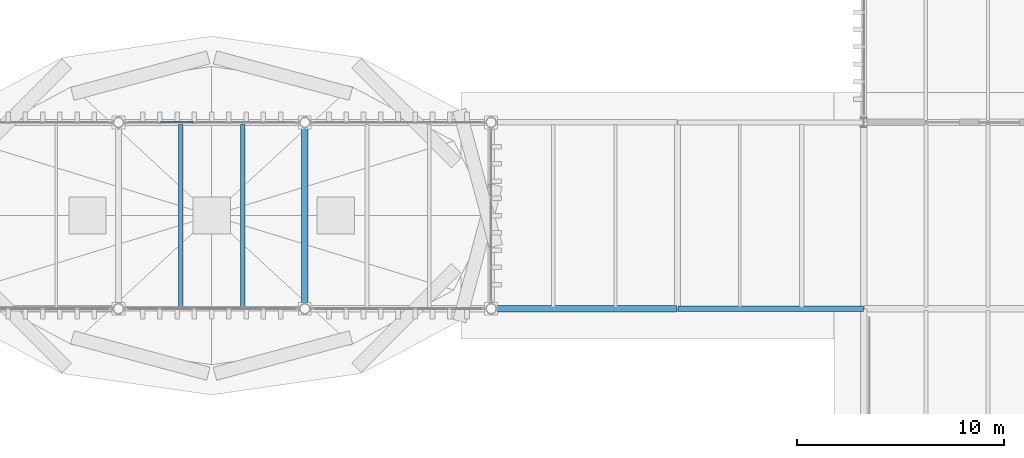
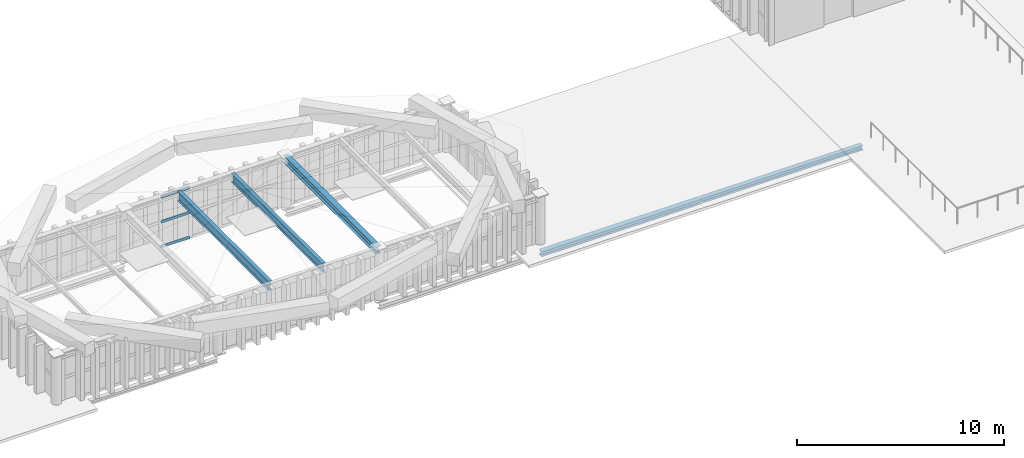
# One storey, part 20 of 102: 5 beams, 3 members, 1 element without a shape of its own.
"""IFC4 building model written with IfcOpenShell, lengths in metres."""

from ifc_helpers import new_model, si_unit, direction, frame, origin, origin_2d, place, context, subcontext, project, spatial, hollow_rectangle, i_section, extrude, material, layer, layer_set, material_profile, profile_set, type_object, element, aggregate, save


model = new_model("IFC4")

# Units and contexts
model_context = context("Model", 3, precision=1e-05, world=origin(), true_north=direction((0.0, 1.0)))
body_context = subcontext(model_context, "Body", "Model", "MODEL_VIEW")
ifc_project = project(units=[si_unit("LENGTHUNIT", "METRE"), si_unit("AREAUNIT", "SQUARE_METRE"), si_unit("VOLUMEUNIT", "CUBIC_METRE"), si_unit("PLANEANGLEUNIT", "RADIAN"), si_unit("MASSUNIT", "GRAM", prefix="KILO")], contexts=[model_context])

# Site, building, storey
site_placement = place(None, origin())
site = spatial("IfcSite", under=ifc_project, at=site_placement, CompositionType="ELEMENT")
building_placement = place(site_placement, origin())
building = spatial("IfcBuilding", under=site, at=building_placement, Name="Barlavento Convention Centre", CompositionType="ELEMENT")
storey_placement = place(building_placement, frame((0.0, 0.0, 22.800048828125)))
storey = spatial("IfcBuildingStorey", under=building, at=storey_placement, Name="L04", CompositionType="ELEMENT", Elevation=22.800048828125)

# Curtain wall, members
ifc_material_1 = material(Name="Powder-coated aluminium and Low-E glass", Category="aluminium")
ifc_layer = layer(ifc_material_1, 0.18505859375)
ifc_layer_set = layer_set([ifc_layer], Name="ARC-CW-CONF-L04")
curtain_wall_type = type_object("IfcCurtainWallType", Name="ARC-CW-CONF-L04", PredefinedType="NOTDEFINED", material=ifc_layer_set)
curtain_wall_placement = place(storey_placement, origin())
curtain_wall = element("IfcCurtainWall", 1, at=curtain_wall_placement, inside=storey, type_object=curtain_wall_type, Name="L04 unitised curtain wall CW09", PredefinedType="NOTDEFINED")
ifc_material_2 = material(Name="Powder-coated aluminium", Category="aluminium")
ifc_material_profile_1 = material_profile(ifc_material_2, hollow_rectangle(XDim=0.06494140625, YDim=0.159912109375, WallThickness=0.0048828125, at=origin_2d()), Name="AL-TRAN 65x160x5")
ifc_profile_set_1 = profile_set([ifc_material_profile_1], Name="Powder-coated aluminium")
member_type = type_object("IfcMemberType", Name="ARC-CWT-65X160", PredefinedType="USERDEFINED", material=ifc_profile_set_1)
member_1_placement = place(storey_placement, frame((92.032958984375, 54.0, 0.032470703125), z_axis=(1.0, 0.0, 0.0), x_axis=(0.0, 1.0, 0.0)))
member_1 = element("IfcMember", 2, at=member_1_placement, type_object=member_type, Name="CW09 transom 2.1", ObjectType="TRANSOM", PredefinedType="USERDEFINED", context=body_context, shape_type="SweptSolid", body=[
    extrude(hollow_rectangle(XDim=0.06494140625, YDim=0.159912109375, WallThickness=0.0048828125, at=origin_2d()), origin(), (0.0, 0.0, 1.0), 1.601318359375),
])
member_2_placement = place(storey_placement, frame((92.032958984375, 54.0, 1.5), z_axis=(1.0, 0.0, 0.0), x_axis=(0.0, 1.0, 0.0)))
member_2 = element("IfcMember", 3, at=member_2_placement, type_object=member_type, Name="CW09 transom 2.2", ObjectType="TRANSOM", PredefinedType="USERDEFINED", context=body_context, shape_type="SweptSolid", body=[
    extrude(hollow_rectangle(XDim=0.06494140625, YDim=0.159912109375, WallThickness=0.0048828125, at=origin_2d()), origin(), (0.0, 0.0, 1.0), 1.601318359375),
])
member_3_placement = place(storey_placement, frame((92.032958984375, 54.0, 2.967529296875), z_axis=(1.0, 0.0, 0.0), x_axis=(0.0, 1.0, 0.0)))
member_3 = element("IfcMember", 4, at=member_3_placement, type_object=member_type, Name="CW09 transom 2.3", ObjectType="TRANSOM", PredefinedType="USERDEFINED", context=body_context, shape_type="SweptSolid", body=[
    extrude(hollow_rectangle(XDim=0.06494140625, YDim=0.159912109375, WallThickness=0.0048828125, at=origin_2d()), origin(), (0.0, 0.0, 1.0), 1.601318359375),
])
aggregate(curtain_wall, [member_1, member_2, member_3])

# Beams
ifc_material_3 = material(Name="Steel S355", Category="steel")
ifc_material_profile_2 = material_profile(ifc_material_3, i_section(OverallWidth=0.199951171875, OverallDepth=0.5, WebThickness=0.01025390625, FlangeThickness=0.01611328125, FilletRadius=0.02099609375, at=origin_2d()), Name="IPE 500")
ifc_profile_set_2 = profile_set([ifc_material_profile_2], Name="Steel S355")
beam_type_1 = type_object("IfcBeamType", Name="STR-BM-JST-IPE500", PredefinedType="JOIST", material=ifc_profile_set_2)
beam_1_placement = place(storey_placement, frame((96.0, 45.094970703125, 2.804931640625), z_axis=(0.0, 1.0, 0.0), x_axis=(-1.0, 0.0, 0.0)))
element("IfcBeam", 5, at=beam_1_placement, inside=storey, type_object=beam_type_1, Name="L04 composite floor joist SJ02", PredefinedType="JOIST", context=body_context, shape_type="SweptSolid", body=[
    extrude(i_section(OverallWidth=0.199951171875, OverallDepth=0.5, WebThickness=0.01025390625, FlangeThickness=0.01611328125, FilletRadius=0.02099609375, at=origin_2d()), origin(), (0.0, 0.0, 1.0), 8.81005859375),
])
ifc_material_profile_3 = material_profile(ifc_material_3, i_section(OverallWidth=0.2099609375, OverallDepth=0.550048828125, WebThickness=0.010986328125, FlangeThickness=0.01708984375, FilletRadius=0.02392578125, at=origin_2d()), Name="IPE 550")
ifc_profile_set_3 = profile_set([ifc_material_profile_3], Name="Steel S355")
beam_type_2 = type_object("IfcBeamType", Name="STR-BM-JST-IPE550", PredefinedType="JOIST", material=ifc_profile_set_3)
beam_2_placement = place(storey_placement, frame((93.0, 45.094970703125, 2.780029296875), z_axis=(0.0, 1.0, 0.0), x_axis=(-1.0, 0.0, 0.0)))
element("IfcBeam", 6, at=beam_2_placement, inside=storey, type_object=beam_type_2, Name="L04 composite floor joist SJ01", PredefinedType="JOIST", context=body_context, shape_type="SweptSolid", body=[
    extrude(i_section(OverallWidth=0.2099609375, OverallDepth=0.550048828125, WebThickness=0.010986328125, FlangeThickness=0.01708984375, FilletRadius=0.02392578125, at=origin_2d()), origin(), (0.0, 0.0, 1.0), 8.81005859375),
])
ifc_material_profile_4 = material_profile(ifc_material_3, i_section(OverallWidth=0.300048828125, OverallDepth=0.43994140625, WebThickness=0.011474609375, FlangeThickness=0.02099609375, FilletRadius=0.027099609375, at=origin_2d()), Name="HEA 450")
ifc_profile_set_4 = profile_set([ifc_material_profile_4], Name="Steel S355")
beam_type_3 = type_object("IfcBeamType", Name="STR-BM-PRI-HEA450", PredefinedType="BEAM", material=ifc_profile_set_4)
beam_3_placement = place(storey_placement, frame((99.0, 45.02001953125, 2.8349609375), z_axis=(0.0, 1.0, 0.0), x_axis=(-1.0, 0.0, 0.0)))
element("IfcBeam", 7, at=beam_3_placement, inside=storey, type_object=beam_type_3, Name="L04 grid girder BG21", PredefinedType="BEAM", context=body_context, shape_type="SweptSolid", body=[
    extrude(i_section(OverallWidth=0.300048828125, OverallDepth=0.43994140625, WebThickness=0.011474609375, FlangeThickness=0.02099609375, FilletRadius=0.027099609375, at=origin_2d()), origin(), (0.0, 0.0, 1.0), 8.9599609375),
])
ifc_material_profile_5 = material_profile(ifc_material_3, i_section(OverallWidth=0.280029296875, OverallDepth=0.27001953125, WebThickness=0.008056640625, FlangeThickness=0.012939453125, FilletRadius=0.02392578125, at=origin_2d()), Name="HEA 280")
ifc_profile_set_5 = profile_set([ifc_material_profile_5], Name="Steel S355")
beam_type_4 = type_object("IfcBeamType", Name="STR-BM-SPN-HEA280", PredefinedType="SPANDREL", material=ifc_profile_set_5)
beam_4_placement = place(storey_placement, frame((117.02001953125, 45.0, -0.47998046875), z_axis=(1.0, 0.0, 0.0), x_axis=(0.0, 1.0, 0.0)))
element("IfcBeam", 8, at=beam_4_placement, inside=storey, type_object=beam_type_4, Name="L04 primary girder SP03", PredefinedType="SPANDREL", context=body_context, shape_type="SweptSolid", body=[
    extrude(i_section(OverallWidth=0.280029296875, OverallDepth=0.27001953125, WebThickness=0.008056640625, FlangeThickness=0.012939453125, FilletRadius=0.02392578125, at=origin_2d()), origin(), (0.0, 0.0, 1.0), 8.9599609375),
])
ifc_material_profile_6 = material_profile(ifc_material_3, i_section(OverallWidth=0.300048828125, OverallDepth=0.2900390625, WebThickness=0.008544921875, FlangeThickness=0.013916015625, FilletRadius=0.027099609375, at=origin_2d()), Name="HEA 300")
ifc_profile_set_6 = profile_set([ifc_material_profile_6], Name="Steel S355")
beam_type_5 = type_object("IfcBeamType", Name="STR-BM-SPN-HEA300", PredefinedType="SPANDREL", material=ifc_profile_set_6)
beam_5_placement = place(storey_placement, frame((108.02001953125, 45.0, -0.489990234375), z_axis=(1.0, 0.0, 0.0), x_axis=(0.0, 1.0, 0.0)))
element("IfcBeam", 9, at=beam_5_placement, inside=storey, type_object=beam_type_5, Name="L04 primary girder SP02", PredefinedType="SPANDREL", context=body_context, shape_type="SweptSolid", body=[
    extrude(i_section(OverallWidth=0.300048828125, OverallDepth=0.2900390625, WebThickness=0.008544921875, FlangeThickness=0.013916015625, FilletRadius=0.027099609375, at=origin_2d()), origin(), (0.0, 0.0, 1.0), 8.9599609375),
])

save(model, "model.ifc")
